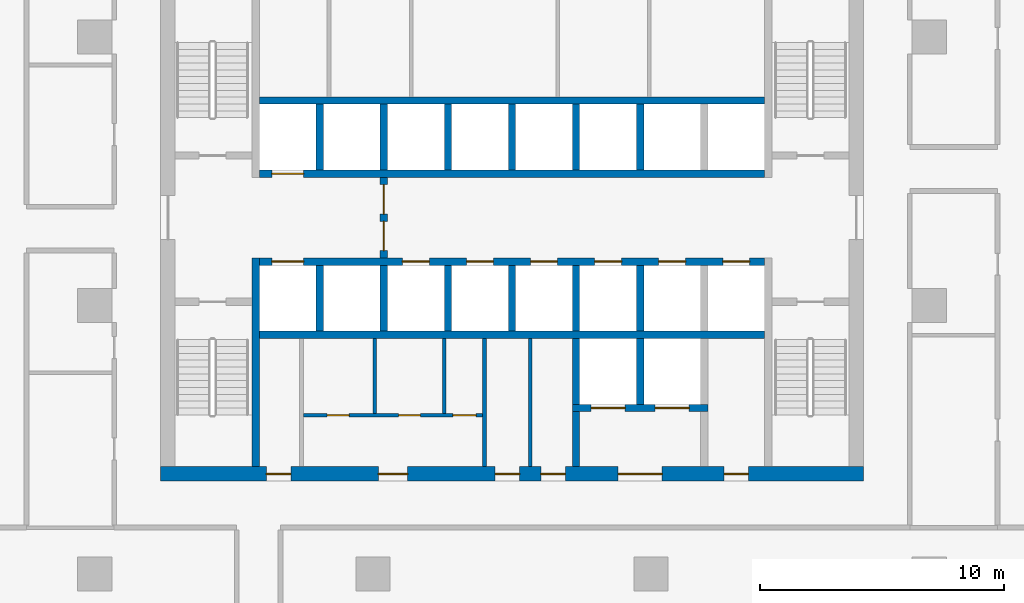
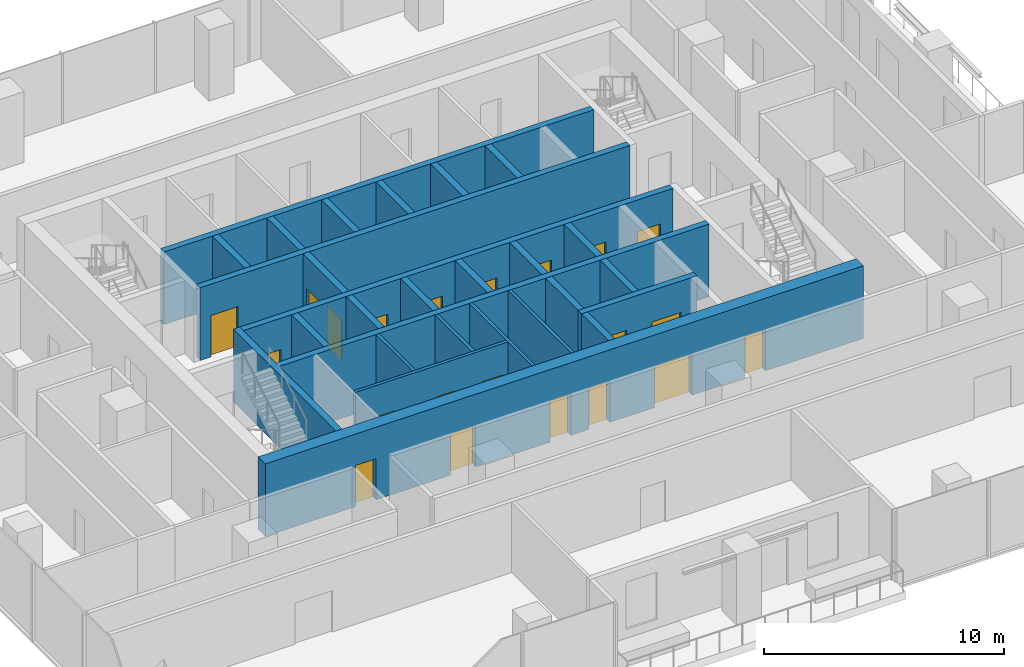
# One storey, part 8 of 14: 28 walls, 21 doors, 21 openings.
"""IFC4 building model written with IfcOpenShell, lengths in metres."""

from ifc_helpers import new_model, si_unit, direction, frame, frame_2d, origin, place, context, subcontext, project, spatial, rectangle, extrude, material, layer, layer_set, type_object, element, fill, save


model = new_model("IFC4")

# Units and contexts
model_context = context("Model", 3, precision=1e-05, world=origin(), true_north=direction((0.0, 1.0)))
body_context = subcontext(model_context, "Body", "Model", "MODEL_VIEW")
ifc_project = project(units=[si_unit("LENGTHUNIT", "METRE"), si_unit("AREAUNIT", "SQUARE_METRE"), si_unit("VOLUMEUNIT", "CUBIC_METRE"), si_unit("PLANEANGLEUNIT", "RADIAN"), si_unit("MASSUNIT", "GRAM", prefix="KILO")], contexts=[model_context])

# Site, building, storey
site_placement = place(None, origin())
site = spatial("IfcSite", under=ifc_project, at=site_placement, CompositionType="ELEMENT")
building_placement = place(site_placement, origin())
building = spatial("IfcBuilding", under=site, at=building_placement, Name="Mopane Tessera Tower", CompositionType="ELEMENT")
storey_placement = place(building_placement, frame((0.0, 0.0, 165.0)))
storey = spatial("IfcBuildingStorey", under=building, at=storey_placement, Name="L33", CompositionType="ELEMENT", Elevation=165.0)

# Wall, openings, doors
ifc_material_1 = material(Name="Fire-rated gypsum board partition")
ifc_layer_1 = layer(ifc_material_1, 0.14990234375)
ifc_layer_set_1 = layer_set([ifc_layer_1], Name="Fire-rated gypsum board partition")
wall_type_1 = type_object("IfcWallType", Name="Core room partition 150 mm", PredefinedType="PARTITIONING", material=ifc_layer_set_1)
wall_1_placement = place(storey_placement, frame((-8.550048828125, -4.5, 0.0), z_axis=(0.0, 0.0, 1.0), x_axis=(1.0, 0.0, 0.0)))
wall_1 = element("IfcWall", 1, at=wall_1_placement, inside=storey, type_object=wall_type_1, Name="L33 WC partition", PredefinedType="PARTITIONING", context=body_context, shape_type="SweptSolid", body=[
    extrude(rectangle(XDim=7.35009765625, YDim=0.14990234375, at=frame_2d((3.675048828125, 0.0))), origin(), (0.0, 0.0, 1.0), 3.699951171875),
])
opening_1_placement = place(wall_1_placement, frame((0.97509765625, 0.0, 0.0)))
opening_1 = element("IfcOpeningElement", 2, at=opening_1_placement, cuts=wall_1, Name="Opening WD1", PredefinedType="OPENING", context=body_context, shape_type="SweptSolid", body=[
    extrude(rectangle(XDim=0.89990234375, YDim=2.10009765625, at=frame_2d((0.449951171875, 1.050048828125))), frame((0.0, 0.0869140625, 0.0), z_axis=(0.0, -1.0, 0.0), x_axis=(1.0, 0.0, 0.0)), (0.0, 0.0, 1.0), 0.173828125),
])
opening_2_placement = place(wall_1_placement, frame((3.89990234375, 0.0, 0.0)))
opening_2 = element("IfcOpeningElement", 3, at=opening_2_placement, cuts=wall_1, Name="Opening WD1", PredefinedType="OPENING", context=body_context, shape_type="SweptSolid", body=[
    extrude(rectangle(XDim=0.89990234375, YDim=2.10009765625, at=frame_2d((0.449951171875, 1.050048828125))), frame((0.0, 0.0869140625, 0.0), z_axis=(0.0, -1.0, 0.0), x_axis=(1.0, 0.0, 0.0)), (0.0, 0.0, 1.0), 0.173828125),
])
opening_3_placement = place(wall_1_placement, frame((6.125, 0.0, 0.0)))
opening_3 = element("IfcOpeningElement", 4, at=opening_3_placement, cuts=wall_1, Name="Opening WD2", PredefinedType="OPENING", context=body_context, shape_type="SweptSolid", body=[
    extrude(rectangle(XDim=0.949951171875, YDim=2.10009765625, at=frame_2d((0.47509765625, 1.050048828125))), frame((0.0, 0.0869140625, 0.0), z_axis=(0.0, -1.0, 0.0), x_axis=(1.0, 0.0, 0.0)), (0.0, 0.0, 1.0), 0.173828125),
])
ifc_material_2 = material(Name="Timber door", Category="wood")
door_type_1 = type_object("IfcDoorType", Name="Accessible WC door 950 x 2100", OperationType="SINGLE_SWING_LEFT", PredefinedType="DOOR", material=ifc_material_2)
door_1_placement = place(opening_3_placement, origin())
door_1 = element("IfcDoor", 5, at=door_1_placement, inside=storey, type_object=door_type_1, Name="L33 Accessible WC door", OperationType="SINGLE_SWING_LEFT", OverallHeight=2.10009765625, OverallWidth=0.949951171875, PredefinedType="DOOR", context=body_context, shape_type="SweptSolid", body=[
    extrude(rectangle(XDim=0.949951171875, YDim=2.10009765625, at=frame_2d((0.47509765625, 1.050048828125))), frame((0.0, 0.02490234375, 0.0), z_axis=(0.0, -1.0, 0.0), x_axis=(1.0, 0.0, 0.0)), (0.0, 0.0, 1.0), 0.050048828125),
])
fill(opening_3, door_1)
ifc_material_3 = material(Name="Timber door", Category="wood")
door_type_2 = type_object("IfcDoorType", Name="WC cubicle door 900 x 2100", OperationType="SINGLE_SWING_LEFT", PredefinedType="DOOR", material=ifc_material_3)
door_2_placement = place(opening_1_placement, origin())
door_2 = element("IfcDoor", 6, at=door_2_placement, inside=storey, type_object=door_type_2, Name="L33 Men's WC door", OperationType="SINGLE_SWING_LEFT", OverallHeight=2.10009765625, OverallWidth=0.89990234375, PredefinedType="DOOR", context=body_context, shape_type="SweptSolid", body=[
    extrude(rectangle(XDim=0.89990234375, YDim=2.10009765625, at=frame_2d((0.449951171875, 1.050048828125))), frame((0.0, 0.02490234375, 0.0), z_axis=(0.0, -1.0, 0.0), x_axis=(1.0, 0.0, 0.0)), (0.0, 0.0, 1.0), 0.050048828125),
])
fill(opening_1, door_2)
door_3_placement = place(opening_2_placement, origin())
door_3 = element("IfcDoor", 7, at=door_3_placement, inside=storey, type_object=door_type_2, Name="L33 Women's WC door", OperationType="SINGLE_SWING_LEFT", OverallHeight=2.10009765625, OverallWidth=0.89990234375, PredefinedType="DOOR", context=body_context, shape_type="SweptSolid", body=[
    extrude(rectangle(XDim=0.89990234375, YDim=2.10009765625, at=frame_2d((0.449951171875, 1.050048828125))), frame((0.0, 0.02490234375, 0.0), z_axis=(0.0, -1.0, 0.0), x_axis=(1.0, 0.0, 0.0)), (0.0, 0.0, 1.0), 0.050048828125),
])
fill(opening_2, door_3)

# Walls
for number, where, z_axis, x_axis, name in (
    (8, (-5.625, -4.425048828125, 0.0), (0.0, 0.0, 1.0), (0.0, 1.0, 0.0), "L33 WC partition"),
    (9, (-2.77490234375, -4.425048828125, 0.0), (0.0, 0.0, 1.0), (0.0, 1.0, 0.0), "L33 WC partition"),
):
    element("IfcWall", number, at=place(storey_placement, frame(where, z_axis=z_axis, x_axis=x_axis)), inside=storey, type_object=wall_type_1, Name=name, PredefinedType="PARTITIONING", context=body_context, shape_type="SweptSolid", body=[
        extrude(rectangle(XDim=3.074951171875, YDim=0.14990234375, at=frame_2d((1.53759765625, 0.0))), origin(), (0.0, 0.0, 1.0), 3.699951171875),
    ])
for number, where, z_axis, x_axis, name in (
    (10, (-1.125, -6.60009765625, 0.0), (0.0, 0.0, 1.0), (0.0, 1.0, 0.0), "L33 Room partition"),
    (11, (0.75, -6.60009765625, 0.0), (0.0, 0.0, 1.0), (0.0, 1.0, 0.0), "L33 Room partition"),
):
    element("IfcWall", number, at=place(storey_placement, frame(where, z_axis=z_axis, x_axis=x_axis)), inside=storey, type_object=wall_type_1, Name=name, PredefinedType="PARTITIONING", context=body_context, shape_type="SweptSolid", body=[
        extrude(rectangle(XDim=5.25, YDim=0.14990234375, at=frame_2d((2.625, 0.0))), origin(), (0.0, 0.0, 1.0), 3.699951171875),
    ])

# Wall, openings, doors
ifc_material_4 = material(Name="Concrete C70/85", Category="concrete")
ifc_layer_2 = layer(ifc_material_4, 0.60009765625)
ifc_layer_set_2 = layer_set([ifc_layer_2], Name="Concrete C70/85")
wall_type_2 = type_object("IfcWallType", Name="Core shear wall 600 mm", PredefinedType="SHEAR", material=ifc_layer_set_2)
wall_2_placement = place(storey_placement, frame((-14.39990234375, -6.89990234375, 0.0), z_axis=(0.0, 0.0, 1.0), x_axis=(1.0, 0.0, 0.0)))
wall_2 = element("IfcWall", 12, at=wall_2_placement, inside=storey, type_object=wall_type_2, Name="L33 Core wall south", PredefinedType="SHEAR", context=body_context, shape_type="SweptSolid", body=[
    extrude(rectangle(XDim=28.7998046875, YDim=0.60009765625, at=frame_2d((14.39990234375, 0.0))), origin(), (0.0, 0.0, 1.0), 3.699951171875),
])
opening_4_placement = place(wall_2_placement, frame((4.33740234375, 0.0, 0.0)))
opening_4 = element("IfcOpeningElement", 13, at=opening_4_placement, cuts=wall_2, Name="Opening RD1", PredefinedType="OPENING", context=body_context, shape_type="SweptSolid", body=[
    extrude(rectangle(XDim=1.0, YDim=2.10009765625, at=frame_2d((0.5, 1.050048828125))), frame((0.0, 0.31201171875, 0.0), z_axis=(0.0, -1.0, 0.0), x_axis=(1.0, 0.0, 0.0)), (0.0, 0.0, 1.0), 0.6240234375),
])
opening_5_placement = place(wall_2_placement, frame((8.925048828125, 0.0, 0.0)))
opening_5 = element("IfcOpeningElement", 14, at=opening_5_placement, cuts=wall_2, Name="Opening WD3", PredefinedType="OPENING", context=body_context, shape_type="SweptSolid", body=[
    extrude(rectangle(XDim=1.199951171875, YDim=2.10009765625, at=frame_2d((0.60009765625, 1.050048828125))), frame((0.0, 0.31201171875, 0.0), z_axis=(0.0, -1.0, 0.0), x_axis=(1.0, 0.0, 0.0)), (0.0, 0.0, 1.0), 0.6240234375),
])
opening_6_placement = place(wall_2_placement, frame((13.71240234375, 0.0, 0.0)))
opening_6 = element("IfcOpeningElement", 15, at=opening_6_placement, cuts=wall_2, Name="Opening RD1", PredefinedType="OPENING", context=body_context, shape_type="SweptSolid", body=[
    extrude(rectangle(XDim=1.0, YDim=2.10009765625, at=frame_2d((0.5, 1.050048828125))), frame((0.0, 0.31201171875, 0.0), z_axis=(0.0, -1.0, 0.0), x_axis=(1.0, 0.0, 0.0)), (0.0, 0.0, 1.0), 0.6240234375),
])
opening_7_placement = place(wall_2_placement, frame((15.58740234375, 0.0, 0.0)))
opening_7 = element("IfcOpeningElement", 16, at=opening_7_placement, cuts=wall_2, Name="Opening RD1", PredefinedType="OPENING", context=body_context, shape_type="SweptSolid", body=[
    extrude(rectangle(XDim=1.0, YDim=2.10009765625, at=frame_2d((0.5, 1.050048828125))), frame((0.0, 0.31201171875, 0.0), z_axis=(0.0, -1.0, 0.0), x_axis=(1.0, 0.0, 0.0)), (0.0, 0.0, 1.0), 0.6240234375),
])
opening_8_placement = place(wall_2_placement, frame((18.75, 0.0, 0.0)))
opening_8 = element("IfcOpeningElement", 17, at=opening_8_placement, cuts=wall_2, Name="Opening SD2", PredefinedType="OPENING", context=body_context, shape_type="SweptSolid", body=[
    extrude(rectangle(XDim=1.800048828125, YDim=2.10009765625, at=frame_2d((0.89990234375, 1.050048828125))), frame((0.0, 0.31201171875, 0.0), z_axis=(0.0, -1.0, 0.0), x_axis=(1.0, 0.0, 0.0)), (0.0, 0.0, 1.0), 0.6240234375),
])
opening_9_placement = place(wall_2_placement, frame((23.08740234375, 0.0, 0.0)))
opening_9 = element("IfcOpeningElement", 18, at=opening_9_placement, cuts=wall_2, Name="Opening RD1", PredefinedType="OPENING", context=body_context, shape_type="SweptSolid", body=[
    extrude(rectangle(XDim=1.0, YDim=2.10009765625, at=frame_2d((0.5, 1.050048828125))), frame((0.0, 0.31201171875, 0.0), z_axis=(0.0, -1.0, 0.0), x_axis=(1.0, 0.0, 0.0)), (0.0, 0.0, 1.0), 0.6240234375),
])
ifc_material_5 = material(Name="Steel fire door", Category="steel")
door_type_3 = type_object("IfcDoorType", Name="Core entrance double door 1800 x 2100", OperationType="DOUBLE_DOOR_SINGLE_SWING", PredefinedType="DOOR", material=ifc_material_5)
door_4_placement = place(opening_8_placement, origin())
door_4 = element("IfcDoor", 19, at=door_4_placement, inside=storey, type_object=door_type_3, Name="L33 Service lobby door", OperationType="DOUBLE_DOOR_SINGLE_SWING", OverallHeight=2.10009765625, OverallWidth=1.800048828125, PredefinedType="DOOR", context=body_context, shape_type="SweptSolid", body=[
    extrude(rectangle(XDim=1.800048828125, YDim=2.10009765625, at=frame_2d((0.89990234375, 1.050048828125))), frame((0.0, 0.02490234375, 0.0), z_axis=(0.0, -1.0, 0.0), x_axis=(1.0, 0.0, 0.0)), (0.0, 0.0, 1.0), 0.050048828125),
])
fill(opening_8, door_4)
ifc_material_6 = material(Name="Timber door", Category="wood")
door_type_4 = type_object("IfcDoorType", Name="Core room door 1000 x 2100", OperationType="SINGLE_SWING_LEFT", PredefinedType="DOOR", material=ifc_material_6)
door_5_placement = place(opening_4_placement, origin())
door_5 = element("IfcDoor", 20, at=door_5_placement, inside=storey, type_object=door_type_4, Name="L33 Room door", OperationType="SINGLE_SWING_LEFT", OverallHeight=2.10009765625, OverallWidth=1.0, PredefinedType="DOOR", context=body_context, shape_type="SweptSolid", body=[
    extrude(rectangle(XDim=1.0, YDim=2.10009765625, at=frame_2d((0.5, 1.050048828125))), frame((0.0, 0.02490234375, 0.0), z_axis=(0.0, -1.0, 0.0), x_axis=(1.0, 0.0, 0.0)), (0.0, 0.0, 1.0), 0.050048828125),
])
fill(opening_4, door_5)
door_6_placement = place(opening_6_placement, origin())
door_6 = element("IfcDoor", 21, at=door_6_placement, inside=storey, type_object=door_type_4, Name="L33 Room door", OperationType="SINGLE_SWING_LEFT", OverallHeight=2.10009765625, OverallWidth=1.0, PredefinedType="DOOR", context=body_context, shape_type="SweptSolid", body=[
    extrude(rectangle(XDim=1.0, YDim=2.10009765625, at=frame_2d((0.5, 1.050048828125))), frame((0.0, 0.02490234375, 0.0), z_axis=(0.0, -1.0, 0.0), x_axis=(1.0, 0.0, 0.0)), (0.0, 0.0, 1.0), 0.050048828125),
])
fill(opening_6, door_6)
door_7_placement = place(opening_7_placement, origin())
door_7 = element("IfcDoor", 22, at=door_7_placement, inside=storey, type_object=door_type_4, Name="L33 Room door", OperationType="SINGLE_SWING_LEFT", OverallHeight=2.10009765625, OverallWidth=1.0, PredefinedType="DOOR", context=body_context, shape_type="SweptSolid", body=[
    extrude(rectangle(XDim=1.0, YDim=2.10009765625, at=frame_2d((0.5, 1.050048828125))), frame((0.0, 0.02490234375, 0.0), z_axis=(0.0, -1.0, 0.0), x_axis=(1.0, 0.0, 0.0)), (0.0, 0.0, 1.0), 0.050048828125),
])
fill(opening_7, door_7)
door_8_placement = place(opening_9_placement, origin())
door_8 = element("IfcDoor", 23, at=door_8_placement, inside=storey, type_object=door_type_4, Name="L33 Room door", OperationType="SINGLE_SWING_LEFT", OverallHeight=2.10009765625, OverallWidth=1.0, PredefinedType="DOOR", context=body_context, shape_type="SweptSolid", body=[
    extrude(rectangle(XDim=1.0, YDim=2.10009765625, at=frame_2d((0.5, 1.050048828125))), frame((0.0, 0.02490234375, 0.0), z_axis=(0.0, -1.0, 0.0), x_axis=(1.0, 0.0, 0.0)), (0.0, 0.0, 1.0), 0.050048828125),
])
fill(opening_9, door_8)
ifc_material_7 = material(Name="Timber door", Category="wood")
door_type_5 = type_object("IfcDoorType", Name="WC lobby door 1200 x 2100", OperationType="SINGLE_SWING_LEFT", PredefinedType="DOOR", material=ifc_material_7)
door_9_placement = place(opening_5_placement, origin())
door_9 = element("IfcDoor", 24, at=door_9_placement, inside=storey, type_object=door_type_5, Name="L33 WC lobby door", OperationType="SINGLE_SWING_LEFT", OverallHeight=2.10009765625, OverallWidth=1.199951171875, PredefinedType="DOOR", context=body_context, shape_type="SweptSolid", body=[
    extrude(rectangle(XDim=1.199951171875, YDim=2.10009765625, at=frame_2d((0.60009765625, 1.050048828125))), frame((0.0, 0.02490234375, 0.0), z_axis=(0.0, -1.0, 0.0), x_axis=(1.0, 0.0, 0.0)), (0.0, 0.0, 1.0), 0.050048828125),
])
fill(opening_5, door_9)

# Walls
ifc_material_8 = material(Name="Concrete C60/75", Category="concrete")
ifc_layer_3 = layer(ifc_material_8, 0.300048828125)
ifc_layer_set_3 = layer_set([ifc_layer_3], Name="Concrete C60/75")
wall_type_3 = type_object("IfcWallType", Name="Core spine wall 300 mm", PredefinedType="SHEAR", material=ifc_layer_set_3)
wall_3_placement = place(storey_placement, frame((-10.5, -6.60009765625, 0.0), z_axis=(0.0, 0.0, 1.0), x_axis=(0.0, 1.0, 0.0)))
element("IfcWall", 25, at=wall_3_placement, inside=storey, type_object=wall_type_3, Name="L33 Core spine wall", PredefinedType="SHEAR", context=body_context, shape_type="SweptSolid", body=[
    extrude(rectangle(XDim=8.550048828125, YDim=0.300048828125, at=frame_2d((4.27490234375, 0.0))), origin(), (0.0, 0.0, 1.0), 3.699951171875),
])
ifc_material_9 = material(Name="Concrete C50/60", Category="concrete")
ifc_layer_4 = layer(ifc_material_9, 0.300048828125)
ifc_layer_set_4 = layer_set([ifc_layer_4], Name="Concrete C50/60")
wall_type_4 = type_object("IfcWallType", Name="Lift and stair shaft wall 300 mm", PredefinedType="SOLIDWALL", material=ifc_layer_set_4)
wall_4_placement = place(storey_placement, frame((-10.35009765625, -1.199951171875, 0.0), z_axis=(0.0, 0.0, 1.0), x_axis=(1.0, 0.0, 0.0)))
element("IfcWall", 26, at=wall_4_placement, inside=storey, type_object=wall_type_4, Name="L33 Lift shaft rear wall", PredefinedType="SOLIDWALL", context=body_context, shape_type="SweptSolid", body=[
    extrude(rectangle(XDim=20.7001953125, YDim=0.300048828125, at=frame_2d((10.35009765625, 0.0))), origin(), (0.0, 0.0, 1.0), 3.699951171875),
])

# Wall, openings, doors
wall_5_placement = place(storey_placement, frame((-10.35009765625, 1.800048828125, 0.0), z_axis=(0.0, 0.0, 1.0), x_axis=(1.0, 0.0, 0.0)))
wall_5 = element("IfcWall", 27, at=wall_5_placement, inside=storey, type_object=wall_type_4, Name="L33 Lift shaft front wall", PredefinedType="SOLIDWALL", context=body_context, shape_type="SweptSolid", body=[
    extrude(rectangle(XDim=20.7001953125, YDim=0.300048828125, at=frame_2d((10.35009765625, 0.0))), origin(), (0.0, 0.0, 1.0), 3.699951171875),
])
opening_10_placement = place(wall_5_placement, frame((0.512451171875, 0.0, 0.0)))
opening_10 = element("IfcOpeningElement", 28, at=opening_10_placement, cuts=wall_5, Name="Opening LD2", PredefinedType="OPENING", context=body_context, shape_type="SweptSolid", body=[
    extrude(rectangle(XDim=1.300048828125, YDim=2.10009765625, at=frame_2d((0.64990234375, 1.050048828125))), frame((0.0, 0.162109375, 0.0), z_axis=(0.0, -1.0, 0.0), x_axis=(1.0, 0.0, 0.0)), (0.0, 0.0, 1.0), 0.323974609375),
])
opening_11_placement = place(wall_5_placement, frame((5.862548828125, 0.0, 0.0)))
opening_11 = element("IfcOpeningElement", 29, at=opening_11_placement, cuts=wall_5, Name="Opening LD", PredefinedType="OPENING", context=body_context, shape_type="SweptSolid", body=[
    extrude(rectangle(XDim=1.10009765625, YDim=2.10009765625, at=frame_2d((0.550048828125, 1.050048828125))), frame((0.0, 0.162109375, 0.0), z_axis=(0.0, -1.0, 0.0), x_axis=(1.0, 0.0, 0.0)), (0.0, 0.0, 1.0), 0.323974609375),
])
opening_12_placement = place(wall_5_placement, frame((8.487548828125, 0.0, 0.0)))
opening_12 = element("IfcOpeningElement", 30, at=opening_12_placement, cuts=wall_5, Name="Opening LD", PredefinedType="OPENING", context=body_context, shape_type="SweptSolid", body=[
    extrude(rectangle(XDim=1.10009765625, YDim=2.10009765625, at=frame_2d((0.550048828125, 1.050048828125))), frame((0.0, 0.162109375, 0.0), z_axis=(0.0, -1.0, 0.0), x_axis=(1.0, 0.0, 0.0)), (0.0, 0.0, 1.0), 0.323974609375),
])
opening_13_placement = place(wall_5_placement, frame((11.112548828125, 0.0, 0.0)))
opening_13 = element("IfcOpeningElement", 31, at=opening_13_placement, cuts=wall_5, Name="Opening LD", PredefinedType="OPENING", context=body_context, shape_type="SweptSolid", body=[
    extrude(rectangle(XDim=1.10009765625, YDim=2.10009765625, at=frame_2d((0.550048828125, 1.050048828125))), frame((0.0, 0.162109375, 0.0), z_axis=(0.0, -1.0, 0.0), x_axis=(1.0, 0.0, 0.0)), (0.0, 0.0, 1.0), 0.323974609375),
])
opening_14_placement = place(wall_5_placement, frame((13.737548828125, 0.0, 0.0)))
opening_14 = element("IfcOpeningElement", 32, at=opening_14_placement, cuts=wall_5, Name="Opening LD", PredefinedType="OPENING", context=body_context, shape_type="SweptSolid", body=[
    extrude(rectangle(XDim=1.10009765625, YDim=2.10009765625, at=frame_2d((0.550048828125, 1.050048828125))), frame((0.0, 0.162109375, 0.0), z_axis=(0.0, -1.0, 0.0), x_axis=(1.0, 0.0, 0.0)), (0.0, 0.0, 1.0), 0.323974609375),
])
opening_15_placement = place(wall_5_placement, frame((16.362548828125, 0.0, 0.0)))
opening_15 = element("IfcOpeningElement", 33, at=opening_15_placement, cuts=wall_5, Name="Opening LD", PredefinedType="OPENING", context=body_context, shape_type="SweptSolid", body=[
    extrude(rectangle(XDim=1.10009765625, YDim=2.10009765625, at=frame_2d((0.550048828125, 1.050048828125))), frame((0.0, 0.162109375, 0.0), z_axis=(0.0, -1.0, 0.0), x_axis=(1.0, 0.0, 0.0)), (0.0, 0.0, 1.0), 0.323974609375),
])
opening_16_placement = place(wall_5_placement, frame((18.987548828125, 0.0, 0.0)))
opening_16 = element("IfcOpeningElement", 34, at=opening_16_placement, cuts=wall_5, Name="Opening LD", PredefinedType="OPENING", context=body_context, shape_type="SweptSolid", body=[
    extrude(rectangle(XDim=1.10009765625, YDim=2.10009765625, at=frame_2d((0.550048828125, 1.050048828125))), frame((0.0, 0.162109375, 0.0), z_axis=(0.0, -1.0, 0.0), x_axis=(1.0, 0.0, 0.0)), (0.0, 0.0, 1.0), 0.323974609375),
])
ifc_material_10 = material(Name="Stainless steel sliding door", Category="steel")
door_type_6 = type_object("IfcDoorType", Name="Fire-fighting lift landing door 1300 x 2100", OperationType="DOUBLE_DOOR_SLIDING", PredefinedType="DOOR", material=ifc_material_10)
door_10_placement = place(opening_10_placement, origin())
door_10 = element("IfcDoor", 35, at=door_10_placement, inside=storey, type_object=door_type_6, Name="L33 Lift landing door FF1", OperationType="DOUBLE_DOOR_SLIDING", OverallHeight=2.10009765625, OverallWidth=1.300048828125, PredefinedType="DOOR", context=body_context, shape_type="SweptSolid", body=[
    extrude(rectangle(XDim=1.300048828125, YDim=2.10009765625, at=frame_2d((0.64990234375, 1.050048828125))), frame((0.0, 0.02490234375, 0.0), z_axis=(0.0, -1.0, 0.0), x_axis=(1.0, 0.0, 0.0)), (0.0, 0.0, 1.0), 0.050048828125),
])
fill(opening_10, door_10)
ifc_material_11 = material(Name="Stainless steel sliding door", Category="steel")
door_type_7 = type_object("IfcDoorType", Name="Lift landing door 1100 x 2100", OperationType="DOUBLE_DOOR_SLIDING", PredefinedType="DOOR", material=ifc_material_11)
door_11_placement = place(opening_11_placement, origin())
door_11 = element("IfcDoor", 36, at=door_11_placement, inside=storey, type_object=door_type_7, Name="L33 Lift landing door LR1", OperationType="DOUBLE_DOOR_SLIDING", OverallHeight=2.10009765625, OverallWidth=1.10009765625, PredefinedType="DOOR", context=body_context, shape_type="SweptSolid", body=[
    extrude(rectangle(XDim=1.10009765625, YDim=2.10009765625, at=frame_2d((0.550048828125, 1.050048828125))), frame((0.0, 0.02490234375, 0.0), z_axis=(0.0, -1.0, 0.0), x_axis=(1.0, 0.0, 0.0)), (0.0, 0.0, 1.0), 0.050048828125),
])
fill(opening_11, door_11)
door_12_placement = place(opening_12_placement, origin())
door_12 = element("IfcDoor", 37, at=door_12_placement, inside=storey, type_object=door_type_7, Name="L33 Lift landing door LR2", OperationType="DOUBLE_DOOR_SLIDING", OverallHeight=2.10009765625, OverallWidth=1.10009765625, PredefinedType="DOOR", context=body_context, shape_type="SweptSolid", body=[
    extrude(rectangle(XDim=1.10009765625, YDim=2.10009765625, at=frame_2d((0.550048828125, 1.050048828125))), frame((0.0, 0.02490234375, 0.0), z_axis=(0.0, -1.0, 0.0), x_axis=(1.0, 0.0, 0.0)), (0.0, 0.0, 1.0), 0.050048828125),
])
fill(opening_12, door_12)
door_13_placement = place(opening_13_placement, origin())
door_13 = element("IfcDoor", 38, at=door_13_placement, inside=storey, type_object=door_type_7, Name="L33 Lift landing door LR3", OperationType="DOUBLE_DOOR_SLIDING", OverallHeight=2.10009765625, OverallWidth=1.10009765625, PredefinedType="DOOR", context=body_context, shape_type="SweptSolid", body=[
    extrude(rectangle(XDim=1.10009765625, YDim=2.10009765625, at=frame_2d((0.550048828125, 1.050048828125))), frame((0.0, 0.02490234375, 0.0), z_axis=(0.0, -1.0, 0.0), x_axis=(1.0, 0.0, 0.0)), (0.0, 0.0, 1.0), 0.050048828125),
])
fill(opening_13, door_13)
door_14_placement = place(opening_14_placement, origin())
door_14 = element("IfcDoor", 39, at=door_14_placement, inside=storey, type_object=door_type_7, Name="L33 Lift landing door LR4", OperationType="DOUBLE_DOOR_SLIDING", OverallHeight=2.10009765625, OverallWidth=1.10009765625, PredefinedType="DOOR", context=body_context, shape_type="SweptSolid", body=[
    extrude(rectangle(XDim=1.10009765625, YDim=2.10009765625, at=frame_2d((0.550048828125, 1.050048828125))), frame((0.0, 0.02490234375, 0.0), z_axis=(0.0, -1.0, 0.0), x_axis=(1.0, 0.0, 0.0)), (0.0, 0.0, 1.0), 0.050048828125),
])
fill(opening_14, door_14)
door_15_placement = place(opening_15_placement, origin())
door_15 = element("IfcDoor", 40, at=door_15_placement, inside=storey, type_object=door_type_7, Name="L33 Lift landing door LR5", OperationType="DOUBLE_DOOR_SLIDING", OverallHeight=2.10009765625, OverallWidth=1.10009765625, PredefinedType="DOOR", context=body_context, shape_type="SweptSolid", body=[
    extrude(rectangle(XDim=1.10009765625, YDim=2.10009765625, at=frame_2d((0.550048828125, 1.050048828125))), frame((0.0, 0.02490234375, 0.0), z_axis=(0.0, -1.0, 0.0), x_axis=(1.0, 0.0, 0.0)), (0.0, 0.0, 1.0), 0.050048828125),
])
fill(opening_15, door_15)
door_16_placement = place(opening_16_placement, origin())
door_16 = element("IfcDoor", 41, at=door_16_placement, inside=storey, type_object=door_type_7, Name="L33 Lift landing door LR6", OperationType="DOUBLE_DOOR_SLIDING", OverallHeight=2.10009765625, OverallWidth=1.10009765625, PredefinedType="DOOR", context=body_context, shape_type="SweptSolid", body=[
    extrude(rectangle(XDim=1.10009765625, YDim=2.10009765625, at=frame_2d((0.550048828125, 1.050048828125))), frame((0.0, 0.02490234375, 0.0), z_axis=(0.0, -1.0, 0.0), x_axis=(1.0, 0.0, 0.0)), (0.0, 0.0, 1.0), 0.050048828125),
])
fill(opening_16, door_16)

# Wall, opening, door
wall_6_placement = place(storey_placement, frame((-10.35009765625, 5.39990234375, 0.0), z_axis=(0.0, 0.0, 1.0), x_axis=(1.0, 0.0, 0.0)))
wall_6 = element("IfcWall", 42, at=wall_6_placement, inside=storey, type_object=wall_type_4, Name="L33 Lift shaft front wall", PredefinedType="SOLIDWALL", context=body_context, shape_type="SweptSolid", body=[
    extrude(rectangle(XDim=20.7001953125, YDim=0.300048828125, at=frame_2d((10.35009765625, 0.0))), origin(), (0.0, 0.0, 1.0), 3.699951171875),
])
opening_17_placement = place(wall_6_placement, frame((0.512451171875, 0.0, 0.0)))
opening_17 = element("IfcOpeningElement", 43, at=opening_17_placement, cuts=wall_6, Name="Opening LD2", PredefinedType="OPENING", context=body_context, shape_type="SweptSolid", body=[
    extrude(rectangle(XDim=1.300048828125, YDim=2.10009765625, at=frame_2d((0.64990234375, 1.050048828125))), frame((0.0, 0.162109375, 0.0), z_axis=(0.0, -1.0, 0.0), x_axis=(1.0, 0.0, 0.0)), (0.0, 0.0, 1.0), 0.323974609375),
])
door_17_placement = place(opening_17_placement, origin())
door_17 = element("IfcDoor", 44, at=door_17_placement, inside=storey, type_object=door_type_6, Name="L33 Lift landing door FF2", OperationType="DOUBLE_DOOR_SLIDING", OverallHeight=2.10009765625, OverallWidth=1.300048828125, PredefinedType="DOOR", context=body_context, shape_type="SweptSolid", body=[
    extrude(rectangle(XDim=1.300048828125, YDim=2.10009765625, at=frame_2d((0.64990234375, 1.050048828125))), frame((0.0, 0.02490234375, 0.0), z_axis=(0.0, -1.0, 0.0), x_axis=(1.0, 0.0, 0.0)), (0.0, 0.0, 1.0), 0.050048828125),
])
fill(opening_17, door_17)

# Walls
wall_7_placement = place(storey_placement, frame((-10.35009765625, 8.39990234375, 0.0), z_axis=(0.0, 0.0, 1.0), x_axis=(1.0, 0.0, 0.0)))
element("IfcWall", 45, at=wall_7_placement, inside=storey, type_object=wall_type_4, Name="L33 Lift shaft rear wall", PredefinedType="SOLIDWALL", context=body_context, shape_type="SweptSolid", body=[
    extrude(rectangle(XDim=20.7001953125, YDim=0.300048828125, at=frame_2d((10.35009765625, 0.0))), origin(), (0.0, 0.0, 1.0), 3.699951171875),
])
for number, where, z_axis, x_axis, name in (
    (46, (-7.875, -1.050048828125, 0.0), (0.0, 0.0, 1.0), (0.0, 1.0, 0.0), "L33 Lift shaft wall"),
    (47, (-5.25, -1.050048828125, 0.0), (0.0, 0.0, 1.0), (0.0, 1.0, 0.0), "L33 Lift shaft wall"),
    (48, (-2.625, -1.050048828125, 0.0), (0.0, 0.0, 1.0), (0.0, 1.0, 0.0), "L33 Lift shaft wall"),
    (49, (0.0, -1.050048828125, 0.0), (0.0, 0.0, 1.0), (0.0, 1.0, 0.0), "L33 Lift shaft wall"),
    (50, (2.625, -1.050048828125, 0.0), (0.0, 0.0, 1.0), (0.0, 1.0, 0.0), "L33 Lift shaft wall"),
    (51, (5.25, -1.050048828125, 0.0), (0.0, 0.0, 1.0), (0.0, 1.0, 0.0), "L33 Lift shaft wall"),
    (52, (-7.875, 5.550048828125, 0.0), (0.0, 0.0, 1.0), (0.0, 1.0, 0.0), "L33 Lift shaft wall"),
    (53, (-5.25, 5.550048828125, 0.0), (0.0, 0.0, 1.0), (0.0, 1.0, 0.0), "L33 Lift shaft wall"),
    (54, (-2.625, 5.550048828125, 0.0), (0.0, 0.0, 1.0), (0.0, 1.0, 0.0), "L33 Lift shaft wall"),
    (55, (0.0, 5.550048828125, 0.0), (0.0, 0.0, 1.0), (0.0, 1.0, 0.0), "L33 Lift shaft wall"),
    (56, (2.625, 5.550048828125, 0.0), (0.0, 0.0, 1.0), (0.0, 1.0, 0.0), "L33 Lift shaft wall"),
    (57, (5.25, 5.550048828125, 0.0), (0.0, 0.0, 1.0), (0.0, 1.0, 0.0), "L33 Lift shaft wall"),
):
    element("IfcWall", number, at=place(storey_placement, frame(where, z_axis=z_axis, x_axis=x_axis)), inside=storey, type_object=wall_type_4, Name=name, PredefinedType="SOLIDWALL", context=body_context, shape_type="SweptSolid", body=[
        extrude(rectangle(XDim=2.699951171875, YDim=0.300048828125, at=frame_2d((1.35009765625, 0.0))), origin(), (0.0, 0.0, 1.0), 3.699951171875),
    ])

# Wall, openings, doors
wall_8_placement = place(storey_placement, frame((2.47509765625, -4.199951171875, 0.0), z_axis=(0.0, 0.0, 1.0), x_axis=(1.0, 0.0, 0.0)))
wall_8 = element("IfcWall", 58, at=wall_8_placement, inside=storey, type_object=wall_type_4, Name="L33 Lift shaft front wall", PredefinedType="SOLIDWALL", context=body_context, shape_type="SweptSolid", body=[
    extrude(rectangle(XDim=5.5498046875, YDim=0.300048828125, at=frame_2d((2.77490234375, 0.0))), origin(), (0.0, 0.0, 1.0), 3.699951171875),
])
opening_18_placement = place(wall_8_placement, frame((0.762451171875, 0.0, 0.0)))
opening_18 = element("IfcOpeningElement", 59, at=opening_18_placement, cuts=wall_8, Name="Opening LD3", PredefinedType="OPENING", context=body_context, shape_type="SweptSolid", body=[
    extrude(rectangle(XDim=1.39990234375, YDim=2.10009765625, at=frame_2d((0.699951171875, 1.050048828125))), frame((0.0, 0.162109375, 0.0), z_axis=(0.0, -1.0, 0.0), x_axis=(1.0, 0.0, 0.0)), (0.0, 0.0, 1.0), 0.323974609375),
])
opening_19_placement = place(wall_8_placement, frame((3.387451171875, 0.0, 0.0)))
opening_19 = element("IfcOpeningElement", 60, at=opening_19_placement, cuts=wall_8, Name="Opening LD3", PredefinedType="OPENING", context=body_context, shape_type="SweptSolid", body=[
    extrude(rectangle(XDim=1.39990234375, YDim=2.10009765625, at=frame_2d((0.699951171875, 1.050048828125))), frame((0.0, 0.162109375, 0.0), z_axis=(0.0, -1.0, 0.0), x_axis=(1.0, 0.0, 0.0)), (0.0, 0.0, 1.0), 0.323974609375),
])
ifc_material_12 = material(Name="Stainless steel sliding door", Category="steel")
door_type_8 = type_object("IfcDoorType", Name="Service lift landing door 1400 x 2100", OperationType="DOUBLE_DOOR_SLIDING", PredefinedType="DOOR", material=ifc_material_12)
door_18_placement = place(opening_18_placement, origin())
door_18 = element("IfcDoor", 61, at=door_18_placement, inside=storey, type_object=door_type_8, Name="L33 Lift landing door SV1", OperationType="DOUBLE_DOOR_SLIDING", OverallHeight=2.10009765625, OverallWidth=1.39990234375, PredefinedType="DOOR", context=body_context, shape_type="SweptSolid", body=[
    extrude(rectangle(XDim=1.39990234375, YDim=2.10009765625, at=frame_2d((0.699951171875, 1.050048828125))), frame((0.0, 0.02490234375, 0.0), z_axis=(0.0, -1.0, 0.0), x_axis=(1.0, 0.0, 0.0)), (0.0, 0.0, 1.0), 0.050048828125),
])
fill(opening_18, door_18)
door_19_placement = place(opening_19_placement, origin())
door_19 = element("IfcDoor", 62, at=door_19_placement, inside=storey, type_object=door_type_8, Name="L33 Lift landing door SV2", OperationType="DOUBLE_DOOR_SLIDING", OverallHeight=2.10009765625, OverallWidth=1.39990234375, PredefinedType="DOOR", context=body_context, shape_type="SweptSolid", body=[
    extrude(rectangle(XDim=1.39990234375, YDim=2.10009765625, at=frame_2d((0.699951171875, 1.050048828125))), frame((0.0, 0.02490234375, 0.0), z_axis=(0.0, -1.0, 0.0), x_axis=(1.0, 0.0, 0.0)), (0.0, 0.0, 1.0), 0.050048828125),
])
fill(opening_19, door_19)

# Walls
for number, where, z_axis, x_axis, name in (
    (63, (2.625, -4.050048828125, 0.0), (0.0, 0.0, 1.0), (0.0, 1.0, 0.0), "L33 Lift shaft wall"),
    (64, (5.25, -4.050048828125, 0.0), (0.0, 0.0, 1.0), (0.0, 1.0, 0.0), "L33 Lift shaft wall"),
):
    element("IfcWall", number, at=place(storey_placement, frame(where, z_axis=z_axis, x_axis=x_axis)), inside=storey, type_object=wall_type_4, Name=name, PredefinedType="SOLIDWALL", context=body_context, shape_type="SweptSolid", body=[
        extrude(rectangle(XDim=2.699951171875, YDim=0.300048828125, at=frame_2d((1.35009765625, 0.0))), origin(), (0.0, 0.0, 1.0), 3.699951171875),
    ])

# Wall, openings, doors
ifc_material_13 = material(Name="Concrete C50/60", Category="concrete")
ifc_layer_5 = layer(ifc_material_13, 0.300048828125)
ifc_layer_set_5 = layer_set([ifc_layer_5], Name="Concrete C50/60")
wall_type_5 = type_object("IfcWallType", Name="Lobby and refuge room wall 300 mm", PredefinedType="SOLIDWALL", material=ifc_layer_set_5)
wall_9_placement = place(storey_placement, frame((-5.25, 1.949951171875, 0.0), z_axis=(0.0, 0.0, 1.0), x_axis=(0.0, 1.0, 0.0)))
wall_9 = element("IfcWall", 65, at=wall_9_placement, inside=storey, type_object=wall_type_5, Name="L33 Fire-fighting lobby wall", PredefinedType="SOLIDWALL", context=body_context, shape_type="SweptSolid", body=[
    extrude(rectangle(XDim=3.300048828125, YDim=0.300048828125, at=frame_2d((1.64990234375, 0.0))), origin(), (0.0, 0.0, 1.0), 3.699951171875),
])
opening_20_placement = place(wall_9_placement, frame((0.300048828125, 0.0, 0.0)))
opening_20 = element("IfcOpeningElement", 66, at=opening_20_placement, cuts=wall_9, Name="Opening SD3", PredefinedType="OPENING", context=body_context, shape_type="SweptSolid", body=[
    extrude(rectangle(XDim=1.199951171875, YDim=2.10009765625, at=frame_2d((0.60009765625, 1.050048828125))), frame((0.0, 0.162109375, 0.0), z_axis=(0.0, -1.0, 0.0), x_axis=(1.0, 0.0, 0.0)), (0.0, 0.0, 1.0), 0.323974609375),
])
opening_21_placement = place(wall_9_placement, frame((1.800048828125, 0.0, 0.0)))
opening_21 = element("IfcOpeningElement", 67, at=opening_21_placement, cuts=wall_9, Name="Opening SD3", PredefinedType="OPENING", context=body_context, shape_type="SweptSolid", body=[
    extrude(rectangle(XDim=1.199951171875, YDim=2.10009765625, at=frame_2d((0.60009765625, 1.050048828125))), frame((0.0, 0.162109375, 0.0), z_axis=(0.0, -1.0, 0.0), x_axis=(1.0, 0.0, 0.0)), (0.0, 0.0, 1.0), 0.323974609375),
])
ifc_material_14 = material(Name="Steel fire door", Category="steel")
door_type_9 = type_object("IfcDoorType", Name="Lobby fire door 1200 x 2100", OperationType="SINGLE_SWING_LEFT", PredefinedType="DOOR", material=ifc_material_14)
door_20_placement = place(opening_20_placement, origin())
door_20 = element("IfcDoor", 68, at=door_20_placement, inside=storey, type_object=door_type_9, Name="L33 Fire-fighting lobby door", OperationType="SINGLE_SWING_LEFT", OverallHeight=2.10009765625, OverallWidth=1.199951171875, PredefinedType="DOOR", context=body_context, shape_type="SweptSolid", body=[
    extrude(rectangle(XDim=1.199951171875, YDim=2.10009765625, at=frame_2d((0.60009765625, 1.050048828125))), frame((0.0, 0.02490234375, 0.0), z_axis=(0.0, -1.0, 0.0), x_axis=(1.0, 0.0, 0.0)), (0.0, 0.0, 1.0), 0.050048828125),
])
fill(opening_20, door_20)
door_21_placement = place(opening_21_placement, origin())
door_21 = element("IfcDoor", 69, at=door_21_placement, inside=storey, type_object=door_type_9, Name="L33 Fire-fighting lobby door", OperationType="SINGLE_SWING_RIGHT", OverallHeight=2.10009765625, OverallWidth=1.199951171875, PredefinedType="DOOR", context=body_context, shape_type="SweptSolid", body=[
    extrude(rectangle(XDim=1.199951171875, YDim=2.10009765625, at=frame_2d((0.60009765625, 1.050048828125))), frame((0.0, 0.02490234375, 0.0), z_axis=(0.0, -1.0, 0.0), x_axis=(1.0, 0.0, 0.0)), (0.0, 0.0, 1.0), 0.050048828125),
])
fill(opening_21, door_21)

# Wall
wall_10_placement = place(storey_placement, frame((2.625, -6.60009765625, 0.0), z_axis=(0.0, 0.0, 1.0), x_axis=(0.0, 1.0, 0.0)))
element("IfcWall", 70, at=wall_10_placement, inside=storey, type_object=wall_type_5, Name="L33 Service lobby wall", PredefinedType="SOLIDWALL", context=body_context, shape_type="SweptSolid", body=[
    extrude(rectangle(XDim=2.25, YDim=0.300048828125, at=frame_2d((1.125, 0.0))), origin(), (0.0, 0.0, 1.0), 3.699951171875),
])

save(model, "model.ifc")
